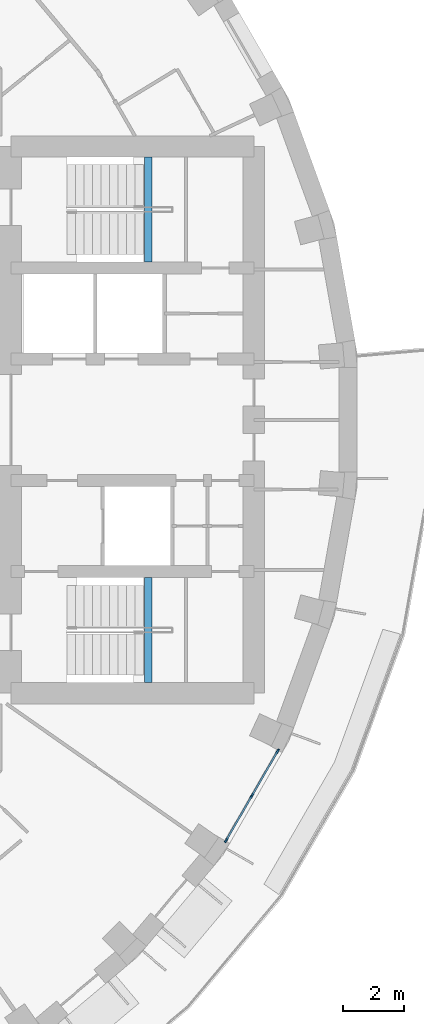
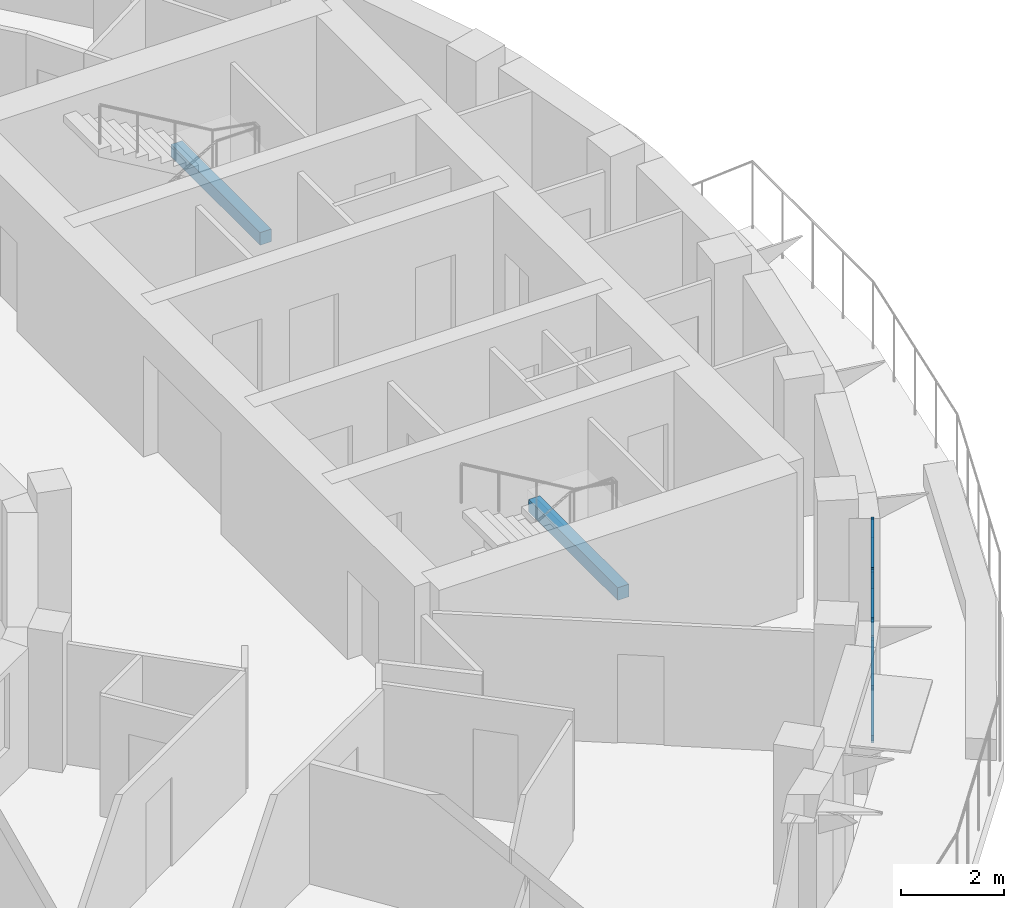
# One storey, part 2 of 14: 9 members, 2 beams, 1 element without a shape of its own.
"""IFC4 building model written with IfcOpenShell, lengths in metres."""

from ifc_helpers import new_model, si_unit, direction, frame, origin, origin_2d, place, context, subcontext, project, spatial, rectangle, extrude, material, layer, layer_set, material_profile, profile_set, type_object, element, aggregate, save


model = new_model("IFC4")

# Units and contexts
model_context = context("Model", 3, precision=1e-05, world=origin(), true_north=direction((0.0, 1.0)))
body_context = subcontext(model_context, "Body", "Model", "MODEL_VIEW")
ifc_project = project(units=[si_unit("LENGTHUNIT", "METRE"), si_unit("AREAUNIT", "SQUARE_METRE"), si_unit("VOLUMEUNIT", "CUBIC_METRE"), si_unit("PLANEANGLEUNIT", "RADIAN"), si_unit("MASSUNIT", "GRAM", prefix="KILO")], contexts=[model_context])

# Site, building, storey
site_placement = place(None, origin())
site = spatial("IfcSite", under=ifc_project, at=site_placement, CompositionType="ELEMENT")
building_placement = place(site_placement, origin())
building = spatial("IfcBuilding", under=site, at=building_placement, Name="Saqina Gate Tower", CompositionType="ELEMENT")
storey_placement = place(building_placement, frame((0.0, 0.0, 170.699951171875)))
storey = spatial("IfcBuildingStorey", under=building, at=storey_placement, Name="L48", CompositionType="ELEMENT", Elevation=170.699951171875)

# Curtain wall, members
ifc_material_1 = material(Name="Aluminium glazing", Category="aluminium")
ifc_layer = layer(ifc_material_1, 0.159912109375)
ifc_layer_set = layer_set([ifc_layer], Name="CWT-4")
curtain_wall_type = type_object("IfcCurtainWallType", Name="CWT-4", PredefinedType="NOTDEFINED", material=ifc_layer_set)
curtain_wall_placement = place(storey_placement, origin())
curtain_wall = element("IfcCurtainWall", 1, at=curtain_wall_placement, inside=storey, type_object=curtain_wall_type, Name="Terrace lounge glazing facet 33", PredefinedType="NOTDEFINED")
ifc_material_2 = material(Name="Aluminium", Category="aluminium")
ifc_material_profile_1 = material_profile(ifc_material_2, rectangle(XDim=0.06005859375, YDim=0.159912109375, at=origin_2d()), Name="Aluminium 60x160")
ifc_profile_set_1 = profile_set([ifc_material_profile_1], Name="Aluminium")
member_type_1 = type_object("IfcMemberType", Name="CWT-4M", PredefinedType="MULLION", material=ifc_profile_set_1)
member_1_placement = place(storey_placement, frame((20.5908203125, -13.84521484375, 0.0), z_axis=(0.0, 0.0, 1.0), x_axis=(-0.866017110341, 0.500014364391, 0.0)))
member_1 = element("IfcMember", 2, at=member_1_placement, type_object=member_type_1, Name="CW4-33 mullion 1", PredefinedType="MULLION", context=body_context, shape_type="SweptSolid", body=[
    extrude(rectangle(XDim=0.06005859375, YDim=0.159912109375, at=origin_2d()), origin(), (0.0, 0.0, 1.0), 2.85009765625),
])
member_2_placement = place(storey_placement, frame((21.438232421875, -12.37744140625, 0.0), z_axis=(0.0, 0.0, 1.0), x_axis=(-0.866017110341, 0.500014364391, 0.0)))
member_2 = element("IfcMember", 3, at=member_2_placement, type_object=member_type_1, Name="CW4-33 mullion 2", PredefinedType="MULLION", context=body_context, shape_type="SweptSolid", body=[
    extrude(rectangle(XDim=0.06005859375, YDim=0.159912109375, at=origin_2d()), origin(), (0.0, 0.0, 1.0), 2.85009765625),
])
member_3_placement = place(storey_placement, frame((22.285888671875, -10.90966796875, 0.0), z_axis=(0.0, 0.0, 1.0), x_axis=(-0.866017110341, 0.500014364391, 0.0)))
member_3 = element("IfcMember", 4, at=member_3_placement, type_object=member_type_1, Name="CW4-33 mullion 3", PredefinedType="MULLION", context=body_context, shape_type="SweptSolid", body=[
    extrude(rectangle(XDim=0.06005859375, YDim=0.159912109375, at=origin_2d()), origin(), (0.0, 0.0, 1.0), 2.85009765625),
])
ifc_material_3 = material(Name="Aluminium", Category="aluminium")
ifc_material_profile_2 = material_profile(ifc_material_3, rectangle(XDim=0.06005859375, YDim=0.1201171875, at=origin_2d()), Name="Aluminium 60x120")
ifc_profile_set_2 = profile_set([ifc_material_profile_2], Name="Aluminium")
member_type_2 = type_object("IfcMemberType", Name="CWT-4T", PredefinedType="USERDEFINED", material=ifc_profile_set_2)
member_4_placement = place(storey_placement, frame((20.60595703125, -13.8193359375, 0.030029296875), z_axis=(0.499929268946, 0.866066236526, 0.0), x_axis=(-0.866066236526, 0.499929268946, 0.0)))
member_4 = element("IfcMember", 5, at=member_4_placement, type_object=member_type_2, Name="CW4-33 transom 1.1", ObjectType="TRANSOM", PredefinedType="USERDEFINED", context=body_context, shape_type="SweptSolid", body=[
    extrude(rectangle(XDim=0.06005859375, YDim=0.1201171875, at=origin_2d()), origin(), (0.0, 0.0, 1.0), 1.635009765625),
])
member_5_placement = place(storey_placement, frame((20.60595703125, -13.8193359375, 2.400146484375), z_axis=(0.499929268946, 0.866066236526, 0.0), x_axis=(-0.866066236526, 0.499929268946, 0.0)))
member_5 = element("IfcMember", 6, at=member_5_placement, type_object=member_type_2, Name="CW4-33 transom 1.2", ObjectType="TRANSOM", PredefinedType="USERDEFINED", context=body_context, shape_type="SweptSolid", body=[
    extrude(rectangle(XDim=0.06005859375, YDim=0.1201171875, at=origin_2d()), origin(), (0.0, 0.0, 1.0), 1.635009765625),
])
member_6_placement = place(storey_placement, frame((20.60595703125, -13.8193359375, 2.820068359375), z_axis=(0.499929268946, 0.866066236526, 0.0), x_axis=(-0.866066236526, 0.499929268946, 0.0)))
member_6 = element("IfcMember", 7, at=member_6_placement, type_object=member_type_2, Name="CW4-33 transom 1.3", ObjectType="TRANSOM", PredefinedType="USERDEFINED", context=body_context, shape_type="SweptSolid", body=[
    extrude(rectangle(XDim=0.06005859375, YDim=0.1201171875, at=origin_2d()), origin(), (0.0, 0.0, 1.0), 1.635009765625),
])
member_7_placement = place(storey_placement, frame((21.453369140625, -12.3515625, 0.030029296875), z_axis=(0.499929268946, 0.866066236526, 0.0), x_axis=(-0.866066236526, 0.499929268946, 0.0)))
member_7 = element("IfcMember", 8, at=member_7_placement, type_object=member_type_2, Name="CW4-33 transom 2.1", ObjectType="TRANSOM", PredefinedType="USERDEFINED", context=body_context, shape_type="SweptSolid", body=[
    extrude(rectangle(XDim=0.06005859375, YDim=0.1201171875, at=origin_2d()), origin(), (0.0, 0.0, 1.0), 1.635009765625),
])
member_8_placement = place(storey_placement, frame((21.453369140625, -12.3515625, 2.400146484375), z_axis=(0.499929268946, 0.866066236526, 0.0), x_axis=(-0.866066236526, 0.499929268946, 0.0)))
member_8 = element("IfcMember", 9, at=member_8_placement, type_object=member_type_2, Name="CW4-33 transom 2.2", ObjectType="TRANSOM", PredefinedType="USERDEFINED", context=body_context, shape_type="SweptSolid", body=[
    extrude(rectangle(XDim=0.06005859375, YDim=0.1201171875, at=origin_2d()), origin(), (0.0, 0.0, 1.0), 1.635009765625),
])
member_9_placement = place(storey_placement, frame((21.453369140625, -12.3515625, 2.820068359375), z_axis=(0.499929268946, 0.866066236526, 0.0), x_axis=(-0.866066236526, 0.499929268946, 0.0)))
member_9 = element("IfcMember", 10, at=member_9_placement, type_object=member_type_2, Name="CW4-33 transom 2.3", ObjectType="TRANSOM", PredefinedType="USERDEFINED", context=body_context, shape_type="SweptSolid", body=[
    extrude(rectangle(XDim=0.06005859375, YDim=0.1201171875, at=origin_2d()), origin(), (0.0, 0.0, 1.0), 1.635009765625),
])
aggregate(curtain_wall, [member_1, member_2, member_3, member_4, member_5, member_6, member_7, member_8, member_9])

# Beams
ifc_material_4 = material(Name="Concrete C40/50", Category="concrete")
ifc_material_profile_3 = material_profile(ifc_material_4, rectangle(XDim=0.25, YDim=0.300048828125, at=origin_2d()), Name="STAIR LANDING BEAM")
ifc_profile_set_3 = profile_set([ifc_material_profile_3], Name="Concrete C40/50")
beam_type = type_object("IfcBeamType", Name="STAIR LANDING BEAM", PredefinedType="BEAM", material=ifc_profile_set_3)
for number, where, z_axis, x_axis, name in (
    (11, (18.02001953125, 5.199951171875, 1.25), (0.0, 1.0, 0.0), (-1.0, 0.0, 0.0), "EXIT STAIR 1 LANDING BEAM"),
    (12, (18.02001953125, -8.64990234375, 1.25), (0.0, 1.0, 0.0), (-1.0, 0.0, 0.0), "EXIT STAIR 2 LANDING BEAM"),
):
    element("IfcBeam", number, at=place(storey_placement, frame(where, z_axis=z_axis, x_axis=x_axis)), inside=storey, type_object=beam_type, Name=name, PredefinedType="BEAM", context=body_context, shape_type="SweptSolid", body=[
        extrude(rectangle(XDim=0.25, YDim=0.300048828125, at=origin_2d()), origin(), (0.0, 0.0, 1.0), 3.449951171875),
    ])

save(model, "model.ifc")
